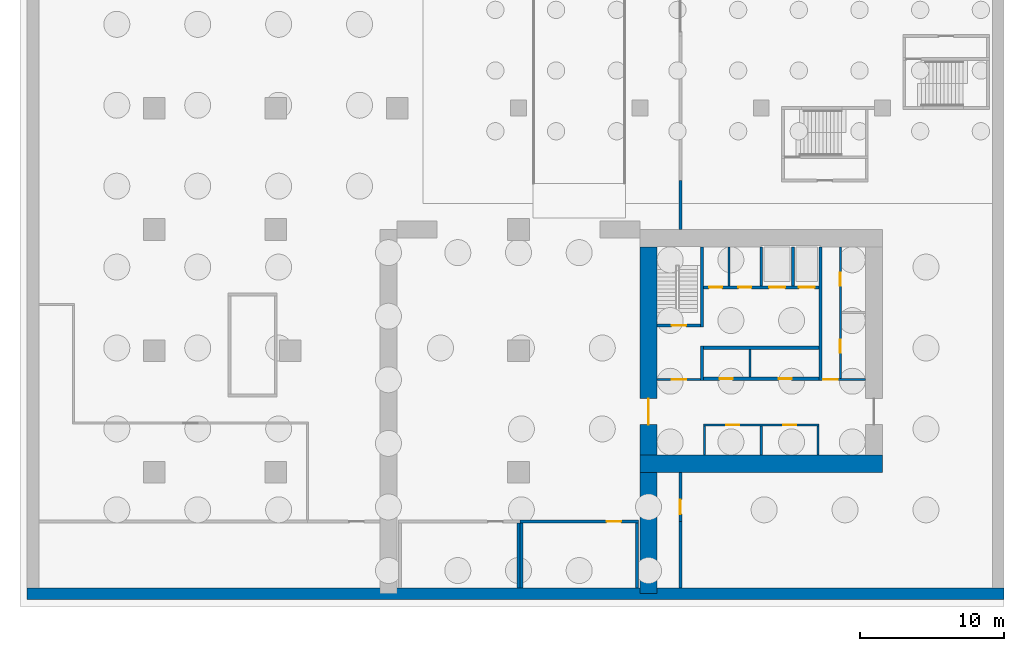
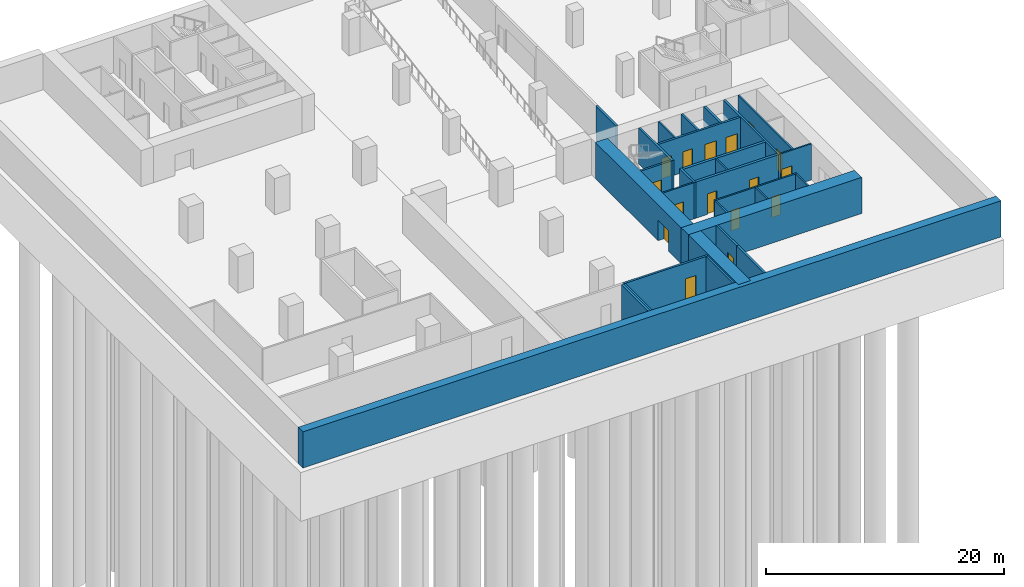
# One storey, part 3 of 8: 29 walls, 16 doors, 16 openings.
"""IFC4 building model written with IfcOpenShell, lengths in metres."""

from ifc_helpers import new_model, si_unit, direction, frame, frame_2d, origin, place, context, subcontext, project, spatial, rectangle, extrude, material, layer, layer_set, type_object, element, fill, save


model = new_model("IFC4")

# Units and contexts
model_context = context("Model", 3, precision=1e-05, world=origin(), true_north=direction((0.0, 1.0)))
body_context = subcontext(model_context, "Body", "Model", "MODEL_VIEW")
ifc_project = project(units=[si_unit("LENGTHUNIT", "METRE"), si_unit("AREAUNIT", "SQUARE_METRE"), si_unit("VOLUMEUNIT", "CUBIC_METRE"), si_unit("PLANEANGLEUNIT", "RADIAN"), si_unit("MASSUNIT", "GRAM", prefix="KILO")], contexts=[model_context])

# Site, building, storey
site_placement = place(None, origin())
site = spatial("IfcSite", under=ifc_project, at=site_placement, CompositionType="ELEMENT")
building_placement = place(site_placement, origin())
building = spatial("IfcBuilding", under=site, at=building_placement, Name="Vermilion Gate Residences", CompositionType="ELEMENT")
storey_placement = place(building_placement, frame((0.0, 0.0, -16.0)))
storey = spatial("IfcBuildingStorey", under=building, at=storey_placement, Name="B4", CompositionType="ELEMENT", Elevation=-16.0)

# Walls
ifc_material_1 = material(Name="Masonry blockwork", Category="masonry")
ifc_layer_1 = layer(ifc_material_1, 0.14990234375)
ifc_layer_set_1 = layer_set([ifc_layer_1], Name="BLOCKWORK PARTITION 150 EI 120")
wall_type_1 = type_object("IfcWallType", Name="BLOCKWORK PARTITION 150 EI 120", PredefinedType="PARTITIONING", material=ifc_layer_set_1)
for number, where, z_axis, x_axis, name in (
    (1, (46.47509765625, 9.60009765625, 0.0), (0.0, 0.0, 1.0), (0.0, 1.0, 0.0), "Core room partition AB4-RW-W"),
    (2, (54.324951171875, 9.60009765625, 0.0), (0.0, 0.0, 1.0), (0.0, 1.0, 0.0), "Core room partition AB4-RW-E"),
    (3, (50.39990234375, 9.60009765625, 0.0), (0.0, 0.0, 1.0), (0.0, 1.0, 0.0), "Core room partition AB4-SR-P0"),
):
    element("IfcWall", number, at=place(storey_placement, frame(where, z_axis=z_axis, x_axis=x_axis)), inside=storey, type_object=wall_type_1, Name=name, PredefinedType="PARTITIONING", context=body_context, shape_type="SweptSolid", body=[
        extrude(rectangle(XDim=2.0, YDim=0.14990234375, at=frame_2d((1.0, 0.0))), origin(), (0.0, 0.0, 1.0), 3.699951171875),
    ])

# Wall, openings, doors
wall_1_placement = place(storey_placement, frame((46.39990234375, 11.675048828125, 0.0), z_axis=(0.0, 0.0, 1.0), x_axis=(1.0, 0.0, 0.0)))
wall_1 = element("IfcWall", 4, at=wall_1_placement, inside=storey, type_object=wall_type_1, Name="Core room partition AB4-LR-F", PredefinedType="PARTITIONING", context=body_context, shape_type="SweptSolid", body=[
    extrude(rectangle(XDim=8.0, YDim=0.14990234375, at=frame_2d((4.0, 0.0))), origin(), (0.0, 0.0, 1.0), 3.699951171875),
])
opening_1_placement = place(wall_1_placement, frame((1.58740234375, 0.0, 0.0)))
opening_1 = element("IfcOpeningElement", 5, at=opening_1_placement, cuts=wall_1, Name="Opening DKB4003", PredefinedType="OPENING", context=body_context, shape_type="SweptSolid", body=[
    extrude(rectangle(XDim=0.89990234375, YDim=2.10009765625, at=frame_2d((0.449951171875, 1.050048828125))), frame((0.0, 0.0849609375, 0.0), z_axis=(0.0, -1.0, 0.0), x_axis=(1.0, 0.0, 0.0)), (0.0, 0.0, 1.0), 0.169921875),
])
opening_2_placement = place(wall_1_placement, frame((5.512451171875, 0.0, 0.0)))
opening_2 = element("IfcOpeningElement", 6, at=opening_2_placement, cuts=wall_1, Name="Opening DKB4004", PredefinedType="OPENING", context=body_context, shape_type="SweptSolid", body=[
    extrude(rectangle(XDim=0.89990234375, YDim=2.10009765625, at=frame_2d((0.449951171875, 1.050048828125))), frame((0.0, 0.0849609375, 0.0), z_axis=(0.0, -1.0, 0.0), x_axis=(1.0, 0.0, 0.0)), (0.0, 0.0, 1.0), 0.169921875),
])
ifc_material_2 = material(Name="Steel", Category="steel")
door_type_1 = type_object("IfcDoorType", Name="SERVICE ROOM DOOR FD60 900 X 2100", OperationType="SINGLE_SWING_LEFT", PredefinedType="DOOR", material=ifc_material_2)
door_1_placement = place(opening_1_placement, frame((0.89990234375, 0.0, 0.0), z_axis=(0.0, 0.0, 1.0), x_axis=(-1.0, 0.0, 0.0)))
door_1 = element("IfcDoor", 7, at=door_1_placement, inside=storey, type_object=door_type_1, Name="Refuse room AB4", OperationType="SINGLE_SWING_RIGHT", OverallHeight=2.10009765625, OverallWidth=0.89990234375, PredefinedType="DOOR", context=body_context, shape_type="SweptSolid", body=[
    extrude(rectangle(XDim=0.89990234375, YDim=2.10009765625, at=frame_2d((0.449951171875, 1.050048828125))), frame((0.0, 0.02490234375, 0.0), z_axis=(0.0, -1.0, 0.0), x_axis=(1.0, 0.0, 0.0)), (0.0, 0.0, 1.0), 0.050048828125),
])
fill(opening_1, door_1)
door_2_placement = place(opening_2_placement, frame((0.89990234375, 0.0, 0.0), z_axis=(0.0, 0.0, 1.0), x_axis=(-1.0, 0.0, 0.0)))
door_2 = element("IfcDoor", 8, at=door_2_placement, inside=storey, type_object=door_type_1, Name="Parcel room AB4", OperationType="SINGLE_SWING_RIGHT", OverallHeight=2.10009765625, OverallWidth=0.89990234375, PredefinedType="DOOR", context=body_context, shape_type="SweptSolid", body=[
    extrude(rectangle(XDim=0.89990234375, YDim=2.10009765625, at=frame_2d((0.449951171875, 1.050048828125))), frame((0.0, 0.02490234375, 0.0), z_axis=(0.0, -1.0, 0.0), x_axis=(1.0, 0.0, 0.0)), (0.0, 0.0, 1.0), 0.050048828125),
])
fill(opening_2, door_2)

# Walls
wall_2_placement = place(storey_placement, frame((49.614990234375, 15.0, 0.0), z_axis=(0.0, 0.0, 1.0), x_axis=(0.0, 1.0, 0.0)))
element("IfcWall", 9, at=wall_2_placement, inside=storey, type_object=wall_type_1, Name="Core room partition AB4-HR-P0", PredefinedType="PARTITIONING", context=body_context, shape_type="SweptSolid", body=[
    extrude(rectangle(XDim=1.89990234375, YDim=0.14990234375, at=frame_2d((0.949951171875, 0.0))), origin(), (0.0, 0.0, 1.0), 3.699951171875),
])
wall_3_placement = place(storey_placement, frame((48.16259765625, 21.300048828125, 0.0), z_axis=(0.0, 0.0, 1.0), x_axis=(0.0, 1.0, 0.0)))
element("IfcWall", 10, at=wall_3_placement, inside=storey, type_object=wall_type_1, Name="Core room partition AB4-NR-P0", PredefinedType="PARTITIONING", context=body_context, shape_type="SweptSolid", body=[
    extrude(rectangle(XDim=2.699951171875, YDim=0.14990234375, at=frame_2d((1.35009765625, 0.0))), origin(), (0.0, 0.0, 1.0), 3.699951171875),
])

# Wall, opening, door
wall_4_placement = place(storey_placement, frame((43.199951171875, 14.824951171875, 0.0), z_axis=(0.0, 0.0, 1.0), x_axis=(1.0, 0.0, 0.0)))
wall_4 = element("IfcWall", 11, at=wall_4_placement, inside=storey, type_object=wall_type_1, Name="Core room partition AB4-VW-S", PredefinedType="PARTITIONING", context=body_context, shape_type="SweptSolid", body=[
    extrude(rectangle(XDim=3.0, YDim=0.14990234375, at=frame_2d((1.5, 0.0))), origin(), (0.0, 0.0, 1.0), 3.699951171875),
])
opening_3_placement = place(wall_4_placement, frame((1.0, 0.0, 0.0)))
opening_3 = element("IfcOpeningElement", 12, at=opening_3_placement, cuts=wall_4, Name="Opening DKB4011", PredefinedType="OPENING", context=body_context, shape_type="SweptSolid", body=[
    extrude(rectangle(XDim=1.0, YDim=2.10009765625, at=frame_2d((0.5, 1.050048828125))), frame((0.0, 0.0849609375, 0.0), z_axis=(0.0, -1.0, 0.0), x_axis=(1.0, 0.0, 0.0)), (0.0, 0.0, 1.0), 0.169921875),
])
ifc_material_3 = material(Name="Steel", Category="steel")
door_type_2 = type_object("IfcDoorType", Name="FIRE DOOR FD60 1000 X 2100", OperationType="SINGLE_SWING_LEFT", PredefinedType="DOOR", material=ifc_material_3)
door_3_placement = place(opening_3_placement, frame((1.0, 0.0, 0.0), z_axis=(0.0, 0.0, 1.0), x_axis=(-1.0, 0.0, 0.0)))
door_3 = element("IfcDoor", 13, at=door_3_placement, inside=storey, type_object=door_type_2, Name="Stair vestibule door AB4", OperationType="SINGLE_SWING_RIGHT", OverallHeight=2.10009765625, OverallWidth=1.0, PredefinedType="DOOR", context=body_context, shape_type="SweptSolid", body=[
    extrude(rectangle(XDim=1.0, YDim=2.10009765625, at=frame_2d((0.5, 1.050048828125))), frame((0.0, 0.02490234375, 0.0), z_axis=(0.0, -1.0, 0.0), x_axis=(1.0, 0.0, 0.0)), (0.0, 0.0, 1.0), 0.050048828125),
])
fill(opening_3, door_3)

wall_5_placement = place(storey_placement, frame((54.60009765625, 14.824951171875, 0.0), z_axis=(0.0, 0.0, 1.0), x_axis=(1.0, 0.0, 0.0)))
wall_5 = element("IfcWall", 14, at=wall_5_placement, inside=storey, type_object=wall_type_1, Name="Core room partition AB4-ES-S", PredefinedType="PARTITIONING", context=body_context, shape_type="SweptSolid", body=[
    extrude(rectangle(XDim=3.0, YDim=0.14990234375, at=frame_2d((1.5, 0.0))), origin(), (0.0, 0.0, 1.0), 3.699951171875),
])
opening_4_placement = place(wall_5_placement, frame((0.10009765625, 0.0, 0.0)))
opening_4 = element("IfcOpeningElement", 15, at=opening_4_placement, cuts=wall_5, Name="Opening DKB4013", PredefinedType="OPENING", context=body_context, shape_type="SweptSolid", body=[
    extrude(rectangle(XDim=1.0, YDim=2.10009765625, at=frame_2d((0.5, 1.050048828125))), frame((0.0, 0.0849609375, 0.0), z_axis=(0.0, -1.0, 0.0), x_axis=(1.0, 0.0, 0.0)), (0.0, 0.0, 1.0), 0.169921875),
])
door_4_placement = place(opening_4_placement, frame((1.0, 0.0, 0.0), z_axis=(0.0, 0.0, 1.0), x_axis=(-1.0, 0.0, 0.0)))
door_4 = element("IfcDoor", 16, at=door_4_placement, inside=storey, type_object=door_type_2, Name="Service corridor door AB4", OperationType="SINGLE_SWING_LEFT", OverallHeight=2.10009765625, OverallWidth=1.0, PredefinedType="DOOR", context=body_context, shape_type="SweptSolid", body=[
    extrude(rectangle(XDim=1.0, YDim=2.10009765625, at=frame_2d((0.5, 1.050048828125))), frame((0.0, 0.02490234375, 0.0), z_axis=(0.0, -1.0, 0.0), x_axis=(1.0, 0.0, 0.0)), (0.0, 0.0, 1.0), 0.050048828125),
])
fill(opening_4, door_4)

# Wall, openings, doors
wall_6_placement = place(storey_placement, frame((55.875, 14.89990234375, 0.0), z_axis=(0.0, 0.0, 1.0), x_axis=(0.0, 1.0, 0.0)))
wall_6 = element("IfcWall", 17, at=wall_6_placement, inside=storey, type_object=wall_type_1, Name="Core room partition AB4-ES-W", PredefinedType="PARTITIONING", context=body_context, shape_type="SweptSolid", body=[
    extrude(rectangle(XDim=9.10009765625, YDim=0.14990234375, at=frame_2d((4.550048828125, 0.0))), origin(), (0.0, 0.0, 1.0), 3.699951171875),
])
opening_5_placement = place(wall_6_placement, frame((1.78759765625, 0.0, 0.0)))
opening_5 = element("IfcOpeningElement", 18, at=opening_5_placement, cuts=wall_6, Name="Opening DKB4014", PredefinedType="OPENING", context=body_context, shape_type="SweptSolid", body=[
    extrude(rectangle(XDim=0.89990234375, YDim=2.10009765625, at=frame_2d((0.449951171875, 1.050048828125))), frame((0.0, 0.0849609375, 0.0), z_axis=(0.0, -1.0, 0.0), x_axis=(1.0, 0.0, 0.0)), (0.0, 0.0, 1.0), 0.169921875),
])
opening_6_placement = place(wall_6_placement, frame((6.41259765625, 0.0, 0.0)))
opening_6 = element("IfcOpeningElement", 19, at=opening_6_placement, cuts=wall_6, Name="Opening DKB4015", PredefinedType="OPENING", context=body_context, shape_type="SweptSolid", body=[
    extrude(rectangle(XDim=0.89990234375, YDim=2.10009765625, at=frame_2d((0.449951171875, 1.050048828125))), frame((0.0, 0.0849609375, 0.0), z_axis=(0.0, -1.0, 0.0), x_axis=(1.0, 0.0, 0.0)), (0.0, 0.0, 1.0), 0.169921875),
])
door_5_placement = place(opening_5_placement, frame((0.89990234375, 0.0, 0.0), z_axis=(0.0, 0.0, 1.0), x_axis=(-1.0, 0.0, 0.0)))
door_5 = element("IfcDoor", 20, at=door_5_placement, inside=storey, type_object=door_type_1, Name="Parcel room AB4", OperationType="SINGLE_SWING_RIGHT", OverallHeight=2.10009765625, OverallWidth=0.89990234375, PredefinedType="DOOR", context=body_context, shape_type="SweptSolid", body=[
    extrude(rectangle(XDim=0.89990234375, YDim=2.10009765625, at=frame_2d((0.449951171875, 1.050048828125))), frame((0.0, 0.02490234375, 0.0), z_axis=(0.0, -1.0, 0.0), x_axis=(1.0, 0.0, 0.0)), (0.0, 0.0, 1.0), 0.050048828125),
])
fill(opening_5, door_5)
door_6_placement = place(opening_6_placement, frame((0.89990234375, 0.0, 0.0), z_axis=(0.0, 0.0, 1.0), x_axis=(-1.0, 0.0, 0.0)))
door_6 = element("IfcDoor", 21, at=door_6_placement, inside=storey, type_object=door_type_1, Name="Cleaner's store AB4", OperationType="SINGLE_SWING_RIGHT", OverallHeight=2.10009765625, OverallWidth=0.89990234375, PredefinedType="DOOR", context=body_context, shape_type="SweptSolid", body=[
    extrude(rectangle(XDim=0.89990234375, YDim=2.10009765625, at=frame_2d((0.449951171875, 1.050048828125))), frame((0.0, 0.02490234375, 0.0), z_axis=(0.0, -1.0, 0.0), x_axis=(1.0, 0.0, 0.0)), (0.0, 0.0, 1.0), 0.050048828125),
])
fill(opening_6, door_6)

# Walls
ifc_material_4 = material(Name="Concrete blockwork", Category="masonry")
ifc_layer_2 = layer(ifc_material_4, 0.199951171875)
ifc_layer_set_2 = layer_set([ifc_layer_2], Name="FIRE WALL 200 EI 120 (AMENITY)")
wall_type_2 = type_object("IfcWallType", Name="FIRE WALL 200 EI 120 (AMENITY)", PredefinedType="PARTITIONING", material=ifc_layer_set_2)
for number, where, z_axis, x_axis, name in (
    (22, (33.60009765625, 0.39990234375, 0.0), (0.0, 0.0, 1.0), (0.0, 1.0, 0.0), "Fire-resisting wall 9"),
    (23, (33.800048828125, 0.39990234375, 0.0), (0.0, 0.0, 1.0), (0.0, 1.0, 0.0), "Fire-resisting wall 10"),
):
    element("IfcWall", number, at=place(storey_placement, frame(where, z_axis=z_axis, x_axis=x_axis)), inside=storey, type_object=wall_type_2, Name=name, PredefinedType="PARTITIONING", context=body_context, shape_type="SweptSolid", body=[
        extrude(rectangle(XDim=4.5, YDim=0.199951171875, at=frame_2d((2.25, 0.0))), origin(), (0.0, 0.0, 1.0), 3.699951171875),
    ])

# Wall, opening, door
wall_7_placement = place(storey_placement, frame((33.699951171875, 5.0, 0.0), z_axis=(0.0, 0.0, 1.0), x_axis=(1.0, 0.0, 0.0)))
wall_7 = element("IfcWall", 24, at=wall_7_placement, inside=storey, type_object=wall_type_2, Name="Fire-resisting wall 11", PredefinedType="PARTITIONING", context=body_context, shape_type="SweptSolid", body=[
    extrude(rectangle(XDim=8.199951171875, YDim=0.199951171875, at=frame_2d((4.10009765625, 0.0))), origin(), (0.0, 0.0, 1.0), 3.699951171875),
])
opening_7_placement = place(wall_7_placement, frame((6.0, 0.0, 0.0)))
opening_7 = element("IfcOpeningElement", 25, at=opening_7_placement, cuts=wall_7, Name="Opening DMB4003", PredefinedType="OPENING", context=body_context, shape_type="SweptSolid", body=[
    extrude(rectangle(XDim=1.0, YDim=2.10009765625, at=frame_2d((0.5, 1.050048828125))), frame((0.0, 0.10986328125, 0.0), z_axis=(0.0, -1.0, 0.0), x_axis=(1.0, 0.0, 0.0)), (0.0, 0.0, 1.0), 0.219970703125),
])
ifc_material_5 = material(Name="Steel", Category="steel")
door_type_3 = type_object("IfcDoorType", Name="DOOR 1000 X 2100 FD60 (AMENITY)", OperationType="SINGLE_SWING_LEFT", PredefinedType="DOOR", material=ifc_material_5)
door_7_placement = place(opening_7_placement, origin())
door_7 = element("IfcDoor", 26, at=door_7_placement, inside=storey, type_object=door_type_3, Name="Door B4 3", OperationType="SINGLE_SWING_RIGHT", OverallHeight=2.10009765625, OverallWidth=1.0, PredefinedType="DOOR", context=body_context, shape_type="SweptSolid", body=[
    extrude(rectangle(XDim=1.0, YDim=2.10009765625, at=frame_2d((0.5, 1.050048828125))), frame((0.0, 0.02490234375, 0.0), z_axis=(0.0, -1.0, 0.0), x_axis=(1.0, 0.0, 0.0)), (0.0, 0.0, 1.0), 0.050048828125),
])
fill(opening_7, door_7)

# Walls
wall_8_placement = place(storey_placement, frame((41.800048828125, 0.39990234375, 0.0), z_axis=(0.0, 0.0, 1.0), x_axis=(0.0, 1.0, 0.0)))
element("IfcWall", 27, at=wall_8_placement, inside=storey, type_object=wall_type_2, Name="Fire-resisting wall 12", PredefinedType="PARTITIONING", context=body_context, shape_type="SweptSolid", body=[
    extrude(rectangle(XDim=4.5, YDim=0.199951171875, at=frame_2d((2.25, 0.0))), origin(), (0.0, 0.0, 1.0), 3.699951171875),
])
ifc_material_6 = material(Name="Concrete blockwork", Category="masonry")
ifc_layer_3 = layer(ifc_material_6, 0.199951171875)
ifc_layer_set_3 = layer_set([ifc_layer_3], Name="GARAGE FIRE WALL 200 EI 120 (AMENITY)")
wall_type_3 = type_object("IfcWallType", Name="GARAGE FIRE WALL 200 EI 120 (AMENITY)", PredefinedType="PARTITIONING", material=ifc_layer_set_3)
wall_9_placement = place(storey_placement, frame((44.800048828125, 0.39990234375, 0.0), z_axis=(0.0, 0.0, 1.0), x_axis=(0.0, 1.0, 0.0)))
element("IfcWall", 28, at=wall_9_placement, inside=storey, type_object=wall_type_3, Name="Fire compartment wall", PredefinedType="PARTITIONING", context=body_context, shape_type="SweptSolid", body=[
    extrude(rectangle(XDim=4.60009765625, YDim=0.199951171875, at=frame_2d((2.300048828125, 0.0))), origin(), (0.0, 0.0, 1.0), 3.699951171875),
])

# Wall, opening, door
wall_10_placement = place(storey_placement, frame((44.800048828125, 5.0, 0.0), z_axis=(0.0, 0.0, 1.0), x_axis=(0.0, 1.0, 0.0)))
wall_10 = element("IfcWall", 29, at=wall_10_placement, inside=storey, type_object=wall_type_3, Name="Fire compartment wall", PredefinedType="PARTITIONING", context=body_context, shape_type="SweptSolid", body=[
    extrude(rectangle(XDim=3.39990234375, YDim=0.199951171875, at=frame_2d((1.699951171875, 0.0))), origin(), (0.0, 0.0, 1.0), 3.699951171875),
])
opening_8_placement = place(wall_10_placement, frame((0.5, 0.0, 0.0)))
opening_8 = element("IfcOpeningElement", 30, at=opening_8_placement, cuts=wall_10, Name="Opening DGB4090", PredefinedType="OPENING", context=body_context, shape_type="SweptSolid", body=[
    extrude(rectangle(XDim=1.0, YDim=2.10009765625, at=frame_2d((0.5, 1.050048828125))), frame((0.0, 0.10986328125, 0.0), z_axis=(0.0, -1.0, 0.0), x_axis=(1.0, 0.0, 0.0)), (0.0, 0.0, 1.0), 0.219970703125),
])
ifc_material_7 = material(Name="Steel", Category="steel")
door_type_4 = type_object("IfcDoorType", Name="DOOR 1000 X 2100 FD120 (AMENITY)", OperationType="SINGLE_SWING_LEFT", PredefinedType="DOOR", material=ifc_material_7)
door_8_placement = place(opening_8_placement, origin())
door_8 = element("IfcDoor", 31, at=door_8_placement, inside=storey, type_object=door_type_4, Name="Fire door", OperationType="SINGLE_SWING_RIGHT", OverallHeight=2.10009765625, OverallWidth=1.0, PredefinedType="DOOR", context=body_context, shape_type="SweptSolid", body=[
    extrude(rectangle(XDim=1.0, YDim=2.10009765625, at=frame_2d((0.5, 1.050048828125))), frame((0.0, 0.02490234375, 0.0), z_axis=(0.0, -1.0, 0.0), x_axis=(1.0, 0.0, 0.0)), (0.0, 0.0, 1.0), 0.050048828125),
])
fill(opening_8, door_8)

# Walls
wall_11_placement = place(storey_placement, frame((44.800048828125, 25.199951171875, 0.0), z_axis=(0.0, 0.0, 1.0), x_axis=(0.0, 1.0, 0.0)))
element("IfcWall", 32, at=wall_11_placement, inside=storey, type_object=wall_type_3, Name="Fire compartment wall", PredefinedType="PARTITIONING", context=body_context, shape_type="SweptSolid", body=[
    extrude(rectangle(XDim=3.400146484375, YDim=0.199951171875, at=frame_2d((1.7001953125, 0.0))), origin(), (0.0, 0.0, 1.0), 3.699951171875),
])
ifc_material_8 = material(Name="Concrete C60", Category="concrete")
ifc_layer_4 = layer(ifc_material_8, 0.199951171875)
ifc_layer_set_4 = layer_set([ifc_layer_4], Name="RC CORE INTERNAL WALL 200 C60")
wall_type_4 = type_object("IfcWallType", Name="RC CORE INTERNAL WALL 200 C60", PredefinedType="SHEAR", material=ifc_layer_set_4)
for number, where, z_axis, x_axis, name in (
    (33, (50.39990234375, 21.300048828125, 0.0), (0.0, 0.0, 1.0), (0.0, 1.0, 0.0), "Core internal wall AB4-FF-D0"),
    (34, (52.60009765625, 21.300048828125, 0.0), (0.0, 0.0, 1.0), (0.0, 1.0, 0.0), "Core internal wall AB4-FF-D1"),
):
    element("IfcWall", number, at=place(storey_placement, frame(where, z_axis=z_axis, x_axis=x_axis)), inside=storey, type_object=wall_type_4, Name=name, PredefinedType="SHEAR", context=body_context, shape_type="SweptSolid", body=[
        extrude(rectangle(XDim=2.699951171875, YDim=0.199951171875, at=frame_2d((1.35009765625, 0.0))), origin(), (0.0, 0.0, 1.0), 3.699951171875),
    ])

# Wall, openings, doors
wall_12_placement = place(storey_placement, frame((46.39990234375, 21.199951171875, 0.0), z_axis=(0.0, 0.0, 1.0), x_axis=(1.0, 0.0, 0.0)))
wall_12 = element("IfcWall", 35, at=wall_12_placement, inside=storey, type_object=wall_type_4, Name="Core internal wall AB4-FF-F", PredefinedType="SHEAR", context=body_context, shape_type="SweptSolid", body=[
    extrude(rectangle(XDim=8.0, YDim=0.199951171875, at=frame_2d((4.0, 0.0))), origin(), (0.0, 0.0, 1.0), 3.699951171875),
])
opening_9_placement = place(wall_12_placement, frame((0.393798828125, 0.0, 0.0)))
opening_9 = element("IfcOpeningElement", 36, at=opening_9_placement, cuts=wall_12, Name="Opening DKB4007", PredefinedType="OPENING", context=body_context, shape_type="SweptSolid", body=[
    extrude(rectangle(XDim=0.89990234375, YDim=2.10009765625, at=frame_2d((0.449951171875, 1.050048828125))), frame((0.0, 0.10986328125, 0.0), z_axis=(0.0, -1.0, 0.0), x_axis=(1.0, 0.0, 0.0)), (0.0, 0.0, 1.0), 0.219970703125),
])
opening_10_placement = place(wall_12_placement, frame((2.418701171875, 0.0, 0.0)))
opening_10 = element("IfcOpeningElement", 37, at=opening_10_placement, cuts=wall_12, Name="Opening DKB4008", PredefinedType="OPENING", context=body_context, shape_type="SweptSolid", body=[
    extrude(rectangle(XDim=0.89990234375, YDim=2.10009765625, at=frame_2d((0.449951171875, 1.050048828125))), frame((0.0, 0.10986328125, 0.0), z_axis=(0.0, -1.0, 0.0), x_axis=(1.0, 0.0, 0.0)), (0.0, 0.0, 1.0), 0.219970703125),
])
opening_11_placement = place(wall_12_placement, frame((4.550048828125, 0.0, 0.0)))
opening_11 = element("IfcOpeningElement", 38, at=opening_11_placement, cuts=wall_12, Name="Opening LD", PredefinedType="OPENING", context=body_context, shape_type="SweptSolid", body=[
    extrude(rectangle(XDim=1.10009765625, YDim=2.10009765625, at=frame_2d((0.550048828125, 1.050048828125))), frame((0.0, 0.10986328125, 0.0), z_axis=(0.0, -1.0, 0.0), x_axis=(1.0, 0.0, 0.0)), (0.0, 0.0, 1.0), 0.219970703125),
])
opening_12_placement = place(wall_12_placement, frame((6.60009765625, 0.0, 0.0)))
opening_12 = element("IfcOpeningElement", 39, at=opening_12_placement, cuts=wall_12, Name="Opening LD", PredefinedType="OPENING", context=body_context, shape_type="SweptSolid", body=[
    extrude(rectangle(XDim=1.10009765625, YDim=2.10009765625, at=frame_2d((0.550048828125, 1.050048828125))), frame((0.0, 0.10986328125, 0.0), z_axis=(0.0, -1.0, 0.0), x_axis=(1.0, 0.0, 0.0)), (0.0, 0.0, 1.0), 0.219970703125),
])
ifc_material_9 = material(Name="Stainless steel", Category="steel")
door_type_5 = type_object("IfcDoorType", Name="LIFT LANDING DOOR E60 1100 X 2100", OperationType="DOUBLE_DOOR_SLIDING", PredefinedType="DOOR", material=ifc_material_9)
door_9_placement = place(opening_11_placement, origin())
door_9 = element("IfcDoor", 40, at=door_9_placement, inside=storey, type_object=door_type_5, Name="Lift landing door LFA1", OperationType="DOUBLE_DOOR_SLIDING", OverallHeight=2.10009765625, OverallWidth=1.10009765625, PredefinedType="DOOR", context=body_context, shape_type="SweptSolid", body=[
    extrude(rectangle(XDim=1.10009765625, YDim=2.10009765625, at=frame_2d((0.550048828125, 1.050048828125))), frame((0.0, 0.02490234375, 0.0), z_axis=(0.0, -1.0, 0.0), x_axis=(1.0, 0.0, 0.0)), (0.0, 0.0, 1.0), 0.050048828125),
])
fill(opening_11, door_9)
door_10_placement = place(opening_12_placement, origin())
door_10 = element("IfcDoor", 41, at=door_10_placement, inside=storey, type_object=door_type_5, Name="Lift landing door LCA1", OperationType="DOUBLE_DOOR_SLIDING", OverallHeight=2.10009765625, OverallWidth=1.10009765625, PredefinedType="DOOR", context=body_context, shape_type="SweptSolid", body=[
    extrude(rectangle(XDim=1.10009765625, YDim=2.10009765625, at=frame_2d((0.550048828125, 1.050048828125))), frame((0.0, 0.02490234375, 0.0), z_axis=(0.0, -1.0, 0.0), x_axis=(1.0, 0.0, 0.0)), (0.0, 0.0, 1.0), 0.050048828125),
])
fill(opening_12, door_10)
door_11_placement = place(opening_9_placement, origin())
door_11 = element("IfcDoor", 42, at=door_11_placement, inside=storey, type_object=door_type_1, Name="Communications riser AB4", OperationType="SINGLE_SWING_LEFT", OverallHeight=2.10009765625, OverallWidth=0.89990234375, PredefinedType="DOOR", context=body_context, shape_type="SweptSolid", body=[
    extrude(rectangle(XDim=0.89990234375, YDim=2.10009765625, at=frame_2d((0.449951171875, 1.050048828125))), frame((0.0, 0.02490234375, 0.0), z_axis=(0.0, -1.0, 0.0), x_axis=(1.0, 0.0, 0.0)), (0.0, 0.0, 1.0), 0.050048828125),
])
fill(opening_9, door_11)
door_12_placement = place(opening_10_placement, origin())
door_12 = element("IfcDoor", 43, at=door_12_placement, inside=storey, type_object=door_type_1, Name="Refuse room AB4", OperationType="SINGLE_SWING_LEFT", OverallHeight=2.10009765625, OverallWidth=0.89990234375, PredefinedType="DOOR", context=body_context, shape_type="SweptSolid", body=[
    extrude(rectangle(XDim=0.89990234375, YDim=2.10009765625, at=frame_2d((0.449951171875, 1.050048828125))), frame((0.0, 0.02490234375, 0.0), z_axis=(0.0, -1.0, 0.0), x_axis=(1.0, 0.0, 0.0)), (0.0, 0.0, 1.0), 0.050048828125),
])
fill(opening_10, door_12)

# Walls
wall_13_placement = place(storey_placement, frame((46.300048828125, 14.75, 0.0), z_axis=(0.0, 0.0, 1.0), x_axis=(0.0, 1.0, 0.0)))
element("IfcWall", 44, at=wall_13_placement, inside=storey, type_object=wall_type_4, Name="Core internal wall AB4-WDIV1", PredefinedType="SHEAR", context=body_context, shape_type="SweptSolid", body=[
    extrude(rectangle(XDim=2.39990234375, YDim=0.199951171875, at=frame_2d((1.199951171875, 0.0))), origin(), (0.0, 0.0, 1.0), 3.699951171875),
])
wall_14_placement = place(storey_placement, frame((46.300048828125, 18.449951171875, 0.0), z_axis=(0.0, 0.0, 1.0), x_axis=(0.0, 1.0, 0.0)))
element("IfcWall", 45, at=wall_14_placement, inside=storey, type_object=wall_type_4, Name="Core internal wall AB4-WDIV2", PredefinedType="SHEAR", context=body_context, shape_type="SweptSolid", body=[
    extrude(rectangle(XDim=5.550048828125, YDim=0.199951171875, at=frame_2d((2.77490234375, 0.0))), origin(), (0.0, 0.0, 1.0), 3.699951171875),
])

# Wall, opening, door
wall_15_placement = place(storey_placement, frame((43.199951171875, 18.550048828125, 0.0), z_axis=(0.0, 0.0, 1.0), x_axis=(1.0, 0.0, 0.0)))
wall_15 = element("IfcWall", 46, at=wall_15_placement, inside=storey, type_object=wall_type_4, Name="Core internal wall AB4-STW-S", PredefinedType="SHEAR", context=body_context, shape_type="SweptSolid", body=[
    extrude(rectangle(XDim=3.0, YDim=0.199951171875, at=frame_2d((1.5, 0.0))), origin(), (0.0, 0.0, 1.0), 3.699951171875),
])
opening_13_placement = place(wall_15_placement, frame((1.0, 0.0, 0.0)))
opening_13 = element("IfcOpeningElement", 47, at=opening_13_placement, cuts=wall_15, Name="Opening DKB4012", PredefinedType="OPENING", context=body_context, shape_type="SweptSolid", body=[
    extrude(rectangle(XDim=1.0, YDim=2.10009765625, at=frame_2d((0.5, 1.050048828125))), frame((0.0, 0.10986328125, 0.0), z_axis=(0.0, -1.0, 0.0), x_axis=(1.0, 0.0, 0.0)), (0.0, 0.0, 1.0), 0.219970703125),
])
door_13_placement = place(opening_13_placement, origin())
door_13 = element("IfcDoor", 48, at=door_13_placement, inside=storey, type_object=door_type_2, Name="Stair door AB4", OperationType="SINGLE_SWING_LEFT", OverallHeight=2.10009765625, OverallWidth=1.0, PredefinedType="DOOR", context=body_context, shape_type="SweptSolid", body=[
    extrude(rectangle(XDim=1.0, YDim=2.10009765625, at=frame_2d((0.5, 1.050048828125))), frame((0.0, 0.02490234375, 0.0), z_axis=(0.0, -1.0, 0.0), x_axis=(1.0, 0.0, 0.0)), (0.0, 0.0, 1.0), 0.050048828125),
])
fill(opening_13, door_13)

# Walls
wall_16_placement = place(storey_placement, frame((54.5, 14.75, 0.0), z_axis=(0.0, 0.0, 1.0), x_axis=(0.0, 1.0, 0.0)))
element("IfcWall", 49, at=wall_16_placement, inside=storey, type_object=wall_type_4, Name="Core internal wall AB4-EDIV", PredefinedType="SHEAR", context=body_context, shape_type="SweptSolid", body=[
    extrude(rectangle(XDim=9.25, YDim=0.199951171875, at=frame_2d((4.625, 0.0))), origin(), (0.0, 0.0, 1.0), 3.699951171875),
])
ifc_material_10 = material(Name="Concrete C80", Category="concrete")
ifc_layer_5 = layer(ifc_material_10, 1.199951171875)
ifc_layer_set_5 = layer_set([ifc_layer_5], Name="RC CORE WALL 1200 C80")
wall_type_5 = type_object("IfcWallType", Name="RC CORE WALL 1200 C80", PredefinedType="SHEAR", material=ifc_layer_set_5)
wall_17_placement = place(storey_placement, frame((42.0, 9.0, 0.0), z_axis=(0.0, 0.0, 1.0), x_axis=(1.0, 0.0, 0.0)))
element("IfcWall", 50, at=wall_17_placement, inside=storey, type_object=wall_type_5, Name="Core wall AB4-OUT-B0", PredefinedType="SHEAR", context=body_context, shape_type="SweptSolid", body=[
    extrude(rectangle(XDim=16.800048828125, YDim=1.199951171875, at=frame_2d((8.39990234375, 0.0))), origin(), (0.0, 0.0, 1.0), 3.699951171875),
])

# Wall, opening, door
wall_18_placement = place(storey_placement, frame((42.60009765625, 9.60009765625, 0.0), z_axis=(0.0, 0.0, 1.0), x_axis=(0.0, 1.0, 0.0)))
wall_18 = element("IfcWall", 51, at=wall_18_placement, inside=storey, type_object=wall_type_5, Name="Core wall AB4-OUT-FR", PredefinedType="SHEAR", context=body_context, shape_type="SweptSolid", body=[
    extrude(rectangle(XDim=14.39990234375, YDim=1.199951171875, at=frame_2d((7.199951171875, 0.0))), origin(), (0.0, 0.0, 1.0), 3.699951171875),
])
opening_14_placement = place(wall_18_placement, frame((2.10009765625, 0.0, 0.0)))
opening_14 = element("IfcOpeningElement", 52, at=opening_14_placement, cuts=wall_18, Name="Opening DKB4001", PredefinedType="OPENING", context=body_context, shape_type="SweptSolid", body=[
    extrude(rectangle(XDim=1.800048828125, YDim=2.10009765625, at=frame_2d((0.89990234375, 1.050048828125))), frame((0.0, 0.60986328125, 0.0), z_axis=(0.0, -1.0, 0.0), x_axis=(1.0, 0.0, 0.0)), (0.0, 0.0, 1.0), 1.219970703125),
])
ifc_material_11 = material(Name="Steel", Category="steel")
door_type_6 = type_object("IfcDoorType", Name="CORE LOBBY DOOR FD60 1800 X 2100", OperationType="DOUBLE_DOOR_SINGLE_SWING", PredefinedType="DOOR", material=ifc_material_11)
door_14_placement = place(opening_14_placement, frame((1.800048828125, 0.0, 0.0), z_axis=(0.0, 0.0, 1.0), x_axis=(-1.0, 0.0, 0.0)))
door_14 = element("IfcDoor", 53, at=door_14_placement, inside=storey, type_object=door_type_6, Name="Core lobby door AB4", OperationType="DOUBLE_DOOR_SINGLE_SWING", OverallHeight=2.10009765625, OverallWidth=1.800048828125, PredefinedType="DOOR", context=body_context, shape_type="SweptSolid", body=[
    extrude(rectangle(XDim=1.800048828125, YDim=2.10009765625, at=frame_2d((0.89990234375, 1.050048828125))), frame((0.0, 0.02490234375, 0.0), z_axis=(0.0, -1.0, 0.0), x_axis=(1.0, 0.0, 0.0)), (0.0, 0.0, 1.0), 0.050048828125),
])
fill(opening_14, door_14)

# Walls
ifc_material_12 = material(Name="Concrete C40", Category="concrete")
ifc_layer_6 = layer(ifc_material_12, 0.800048828125)
ifc_layer_set_6 = layer_set([ifc_layer_6], Name="RC DIAPHRAGM WALL 800 C40")
wall_type_6 = type_object("IfcWallType", Name="RC DIAPHRAGM WALL 800 C40", PredefinedType="SOLIDWALL", material=ifc_layer_set_6)
wall_19_placement = place(storey_placement, frame((-0.39990234375, 0.0, 0.0), z_axis=(0.0, 0.0, 1.0), x_axis=(1.0, 0.0, 0.0)))
element("IfcWall", 54, at=wall_19_placement, inside=storey, type_object=wall_type_6, Name="Diaphragm wall B4 3", PredefinedType="SOLIDWALL", context=body_context, shape_type="SweptSolid", body=[
    extrude(rectangle(XDim=67.599853515625, YDim=0.800048828125, at=frame_2d((33.7998046875, 0.0))), origin(), (0.0, 0.0, 1.0), 3.699951171875),
])
ifc_material_13 = material(Name="Concrete C70", Category="concrete")
ifc_layer_7 = layer(ifc_material_13, 1.199951171875)
ifc_layer_set_7 = layer_set([ifc_layer_7], Name="RC GATE PIER WALL 1200 C70")
wall_type_7 = type_object("IfcWallType", Name="RC GATE PIER WALL 1200 C70", PredefinedType="SHEAR", material=ifc_layer_set_7)
wall_20_placement = place(storey_placement, frame((42.60009765625, 0.0, 0.0), z_axis=(0.0, 0.0, 1.0), x_axis=(0.0, 1.0, 0.0)))
element("IfcWall", 55, at=wall_20_placement, inside=storey, type_object=wall_type_7, Name="Gate pier wall E B4", PredefinedType="SHEAR", context=body_context, shape_type="SweptSolid", body=[
    extrude(rectangle(XDim=8.39990234375, YDim=1.199951171875, at=frame_2d((4.199951171875, 0.0))), origin(), (0.0, 0.0, 1.0), 3.699951171875),
])

# Wall, openings, doors
ifc_material_14 = material(Name="Concrete C60", Category="concrete")
ifc_layer_8 = layer(ifc_material_14, 0.25)
ifc_layer_set_8 = layer_set([ifc_layer_8], Name="RC LIFT SHAFT WALL 250 C60")
wall_type_8 = type_object("IfcWallType", Name="RC LIFT SHAFT WALL 250 C60", PredefinedType="SHEAR", material=ifc_layer_set_8)
wall_21_placement = place(storey_placement, frame((46.39990234375, 14.875, 0.0), z_axis=(0.0, 0.0, 1.0), x_axis=(1.0, 0.0, 0.0)))
wall_21 = element("IfcWall", 56, at=wall_21_placement, inside=storey, type_object=wall_type_8, Name="Lift shaft wall AB4-HR-F", PredefinedType="SHEAR", context=body_context, shape_type="SweptSolid", body=[
    extrude(rectangle(XDim=8.0, YDim=0.25, at=frame_2d((4.0, 0.0))), origin(), (0.0, 0.0, 1.0), 3.699951171875),
])
opening_15_placement = place(wall_21_placement, frame((1.1201171875, 0.0, 0.0)))
opening_15 = element("IfcOpeningElement", 57, at=opening_15_placement, cuts=wall_21, Name="Opening DKB4005", PredefinedType="OPENING", context=body_context, shape_type="SweptSolid", body=[
    extrude(rectangle(XDim=0.89990234375, YDim=2.10009765625, at=frame_2d((0.449951171875, 1.050048828125))), frame((0.0, 0.135009765625, 0.0), z_axis=(0.0, -1.0, 0.0), x_axis=(1.0, 0.0, 0.0)), (0.0, 0.0, 1.0), 0.27001953125),
])
opening_16_placement = place(wall_21_placement, frame((5.195068359375, 0.0, 0.0)))
opening_16 = element("IfcOpeningElement", 58, at=opening_16_placement, cuts=wall_21, Name="Opening DKB4006", PredefinedType="OPENING", context=body_context, shape_type="SweptSolid", body=[
    extrude(rectangle(XDim=0.89990234375, YDim=2.10009765625, at=frame_2d((0.449951171875, 1.050048828125))), frame((0.0, 0.135009765625, 0.0), z_axis=(0.0, -1.0, 0.0), x_axis=(1.0, 0.0, 0.0)), (0.0, 0.0, 1.0), 0.27001953125),
])
door_15_placement = place(opening_15_placement, frame((0.89990234375, 0.0, 0.0), z_axis=(0.0, 0.0, 1.0), x_axis=(-1.0, 0.0, 0.0)))
door_15 = element("IfcDoor", 59, at=door_15_placement, inside=storey, type_object=door_type_1, Name="Pump room AB4", OperationType="SINGLE_SWING_RIGHT", OverallHeight=2.10009765625, OverallWidth=0.89990234375, PredefinedType="DOOR", context=body_context, shape_type="SweptSolid", body=[
    extrude(rectangle(XDim=0.89990234375, YDim=2.10009765625, at=frame_2d((0.449951171875, 1.050048828125))), frame((0.0, 0.02490234375, 0.0), z_axis=(0.0, -1.0, 0.0), x_axis=(1.0, 0.0, 0.0)), (0.0, 0.0, 1.0), 0.050048828125),
])
fill(opening_15, door_15)
door_16_placement = place(opening_16_placement, origin())
door_16 = element("IfcDoor", 60, at=door_16_placement, inside=storey, type_object=door_type_1, Name="Storage room AB4", OperationType="SINGLE_SWING_LEFT", OverallHeight=2.10009765625, OverallWidth=0.89990234375, PredefinedType="DOOR", context=body_context, shape_type="SweptSolid", body=[
    extrude(rectangle(XDim=0.89990234375, YDim=2.10009765625, at=frame_2d((0.449951171875, 1.050048828125))), frame((0.0, 0.02490234375, 0.0), z_axis=(0.0, -1.0, 0.0), x_axis=(1.0, 0.0, 0.0)), (0.0, 0.0, 1.0), 0.050048828125),
])
fill(opening_16, door_16)

# Wall
wall_22_placement = place(storey_placement, frame((46.39990234375, 17.02490234375, 0.0), z_axis=(0.0, 0.0, 1.0), x_axis=(1.0, 0.0, 0.0)))
element("IfcWall", 61, at=wall_22_placement, inside=storey, type_object=wall_type_8, Name="Lift shaft wall AB4-HR-B", PredefinedType="SHEAR", context=body_context, shape_type="SweptSolid", body=[
    extrude(rectangle(XDim=8.0, YDim=0.25, at=frame_2d((4.0, 0.0))), origin(), (0.0, 0.0, 1.0), 3.699951171875),
])

save(model, "model.ifc")
